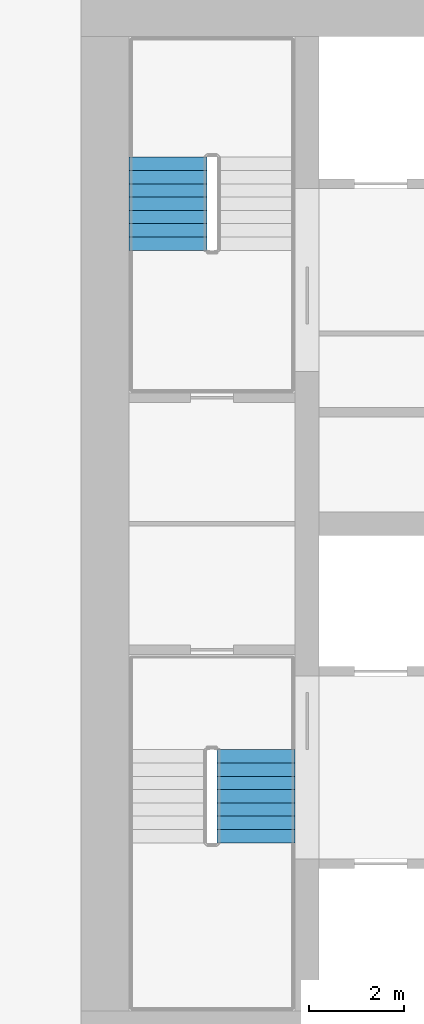
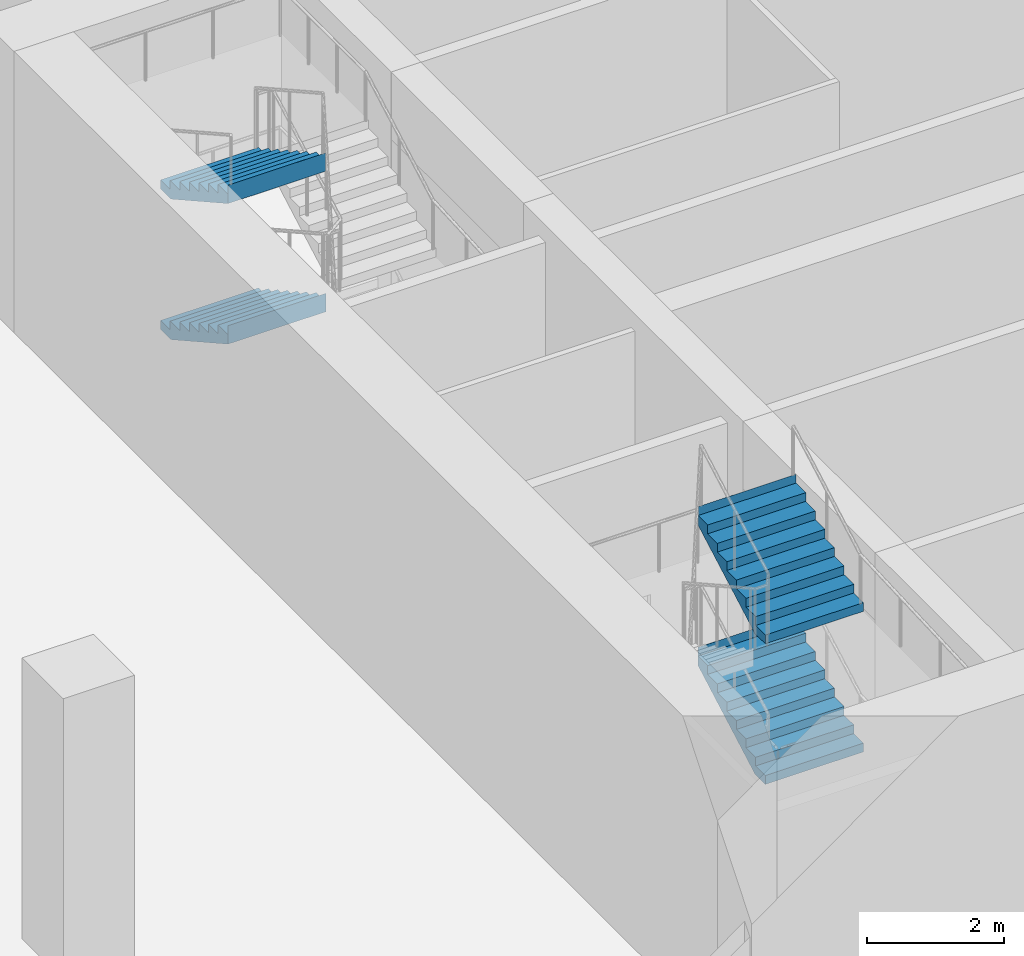
# One storey, part 14 of 32: 4 stair flights, 2 elements without a shape of their own.
"""IFC4 building model written with IfcOpenShell, lengths in metres."""

from ifc_helpers import new_model, si_unit, direction, frame, origin, place, context, subcontext, project, spatial, polyline, outline, extrude, material, type_object, element, aggregate, save


model = new_model("IFC4")

# Units and contexts
model_context = context("Model", 3, precision=1e-05, world=origin(), true_north=direction((0.0, 1.0)))
body_context = subcontext(model_context, "Body", "Model", "MODEL_VIEW")
ifc_project = project(units=[si_unit("LENGTHUNIT", "METRE"), si_unit("AREAUNIT", "SQUARE_METRE"), si_unit("VOLUMEUNIT", "CUBIC_METRE"), si_unit("PLANEANGLEUNIT", "RADIAN"), si_unit("MASSUNIT", "GRAM", prefix="KILO")], contexts=[model_context])

# Site, building, storey
site_placement = place(None, origin())
site = spatial("IfcSite", under=ifc_project, at=site_placement, CompositionType="ELEMENT")
building_placement = place(site_placement, origin())
building = spatial("IfcBuilding", under=site, at=building_placement, Name="Tamorin Gate", CompositionType="ELEMENT")
storey_placement = place(building_placement, frame((0.0, 0.0, 18.5)))
storey = spatial("IfcBuildingStorey", under=building, at=storey_placement, Name="L03", CompositionType="ELEMENT", Elevation=18.5)

# Stair, stair flights
ifc_material = material(Name="Concrete C40/50", Category="concrete")
stair_type = type_object("IfcStairType", Name="Exit stair", PredefinedType="HALF_TURN_STAIR", material=ifc_material)
stair_1_placement = place(storey_placement, origin())
stair_1 = element("IfcStair", 1, at=stair_1_placement, inside=storey, type_object=stair_type, Name="L03 stair ST1", PredefinedType="HALF_TURN_STAIR")
stair_flight_type = type_object("IfcStairFlightType", Name="Exit stair flight", PredefinedType="STRAIGHT", material=ifc_material)
stair_flight_1_placement = place(storey_placement, frame((33.675048828125, 64.5400390625, 1.25), z_axis=(0.0, 0.0, 1.0), x_axis=(0.0, 1.0, 0.0)))
stair_flight_1 = element("IfcStairFlight", 2, at=stair_flight_1_placement, type_object=stair_flight_type, Name="ST1 flight 2", NumberOfRisers=8, NumberOfTreads=7, PredefinedType="STRAIGHT", RiserHeight=0.15625, TreadLength=0.28, context=body_context, shape_type="SweptSolid", body=[
    extrude(outline(polyline([(-0.00048828125, 0.0), (-0.00048828125, 0.00146484375), (-0.00048828125, 0.003173828125), (-0.00048828125, 0.004638671875), (-0.00048828125, 0.006103515625), (-0.00048828125, 0.0078125), (-0.00048828125, 0.00927734375), (-0.00048828125, 0.0107421875), (-0.00048828125, 0.012451171875), (-0.00048828125, 0.013916015625), (-0.00048828125, 0.015380859375), (-0.00048828125, 0.01708984375), (-0.00048828125, 0.0185546875), (-0.00048828125, 0.02001953125), (-0.00048828125, 0.021728515625), (-0.00048828125, 0.023193359375), (-0.00048828125, 0.024658203125), (-0.00048828125, 0.0263671875), (-0.00048828125, 0.02783203125), (-0.00048828125, 0.029296875), (-0.00048828125, 0.031005859375), (-0.00048828125, 0.032470703125), (-0.00048828125, 0.033935546875), (-0.00048828125, 0.03564453125), (-0.00048828125, 0.037109375), (-0.00048828125, 0.03857421875), (-0.00048828125, 0.040283203125), (-0.00048828125, 0.041748046875), (-0.00048828125, 0.043212890625), (-0.00048828125, 0.044921875), (-0.00048828125, 0.04638671875), (-0.00048828125, 0.0478515625), (-0.00048828125, 0.049560546875), (-0.00048828125, 0.051025390625), (-0.00048828125, 0.052490234375), (-0.00048828125, 0.05419921875), (-0.00048828125, 0.0556640625), (-0.00048828125, 0.05712890625), (-0.00048828125, 0.058837890625), (-0.00048828125, 0.060302734375), (-0.00048828125, 0.061767578125), (-0.00048828125, 0.0634765625), (-0.00048828125, 0.06494140625), (-0.00048828125, 0.06640625), (-0.00048828125, 0.068115234375), (-0.00048828125, 0.069580078125), (-0.00048828125, 0.071044921875), (-0.00048828125, 0.07275390625), (-0.00048828125, 0.07421875), (-0.00048828125, 0.07568359375), (-0.00048828125, 0.077392578125), (-0.00048828125, 0.078857421875), (-0.00048828125, 0.08056640625), (-0.00048828125, 0.08203125), (-0.00048828125, 0.08349609375), (-0.00048828125, 0.085205078125), (-0.00048828125, 0.086669921875), (-0.00048828125, 0.088134765625), (-0.00048828125, 0.08984375), (-0.00048828125, 0.09130859375), (-0.00048828125, 0.0927734375), (-0.00048828125, 0.094482421875), (-0.00048828125, 0.095947265625), (-0.00048828125, 0.097412109375), (-0.00048828125, 0.09912109375), (-0.00048828125, 0.1005859375), (-0.00048828125, 0.10205078125), (-0.00048828125, 0.103759765625), (-0.00048828125, 0.105224609375), (-0.00048828125, 0.106689453125), (-0.00048828125, 0.1083984375), (-0.00048828125, 0.10986328125), (-0.00048828125, 0.111328125), (-0.00048828125, 0.113037109375), (-0.00048828125, 0.114501953125), (-0.00048828125, 0.115966796875), (-0.00048828125, 0.11767578125), (-0.00048828125, 0.119140625), (-0.00048828125, 0.12060546875), (-0.00048828125, 0.122314453125), (-0.00048828125, 0.123779296875), (-0.00048828125, 0.125244140625), (-0.00048828125, 0.126953125), (-0.00048828125, 0.12841796875), (-0.00048828125, 0.1298828125), (-0.00048828125, 0.131591796875), (-0.00048828125, 0.133056640625), (-0.00048828125, 0.134521484375), (-0.00048828125, 0.13623046875), (-0.00048828125, 0.1376953125), (-0.00048828125, 0.13916015625), (-0.00048828125, 0.140869140625), (-0.00048828125, 0.142333984375), (-0.00048828125, 0.143798828125), (-0.00048828125, 0.1455078125), (-0.00048828125, 0.14697265625), (-0.00048828125, 0.1484375), (-0.00048828125, 0.150146484375), (-0.00048828125, 0.151611328125), (-0.00048828125, 0.153076171875), (-0.00048828125, 0.15478515625), (-0.00048828125, 0.15625), (0.280029296875, 0.15625), (0.280029296875, 0.3125), (0.56005859375, 0.3125), (0.56005859375, 0.46875), (0.840087890625, 0.46875), (0.840087890625, 0.625), (1.1201171875, 0.625), (1.1201171875, 0.78125), (1.39990234375, 0.78125), (1.39990234375, 0.9375), (1.679931640625, 0.9375), (1.679931640625, 1.09375), (1.9599609375, 1.09375), (1.9599609375, 1.25), (1.96044921875, 1.25), (1.96044921875, 1.246826171875), (1.96044921875, 1.243408203125), (1.96044921875, 1.240234375), (1.96044921875, 1.237060546875), (1.96044921875, 1.23388671875), (1.96044921875, 1.23046875), (1.96044921875, 1.227294921875), (1.96044921875, 1.22412109375), (1.96044921875, 1.220703125), (1.96044921875, 1.217529296875), (1.96044921875, 1.21435546875), (1.96044921875, 1.2109375), (1.96044921875, 1.207763671875), (1.96044921875, 1.20458984375), (1.96044921875, 1.201416015625), (1.96044921875, 1.197998046875), (1.96044921875, 1.19482421875), (1.96044921875, 1.191650390625), (1.96044921875, 1.188232421875), (1.96044921875, 1.18505859375), (1.96044921875, 1.181884765625), (1.96044921875, 1.178466796875), (1.96044921875, 1.17529296875), (1.96044921875, 1.172119140625), (1.96044921875, 1.1689453125), (1.96044921875, 1.16552734375), (1.96044921875, 1.162353515625), (1.96044921875, 1.1591796875), (1.96044921875, 1.15576171875), (1.96044921875, 1.152587890625), (1.96044921875, 1.1494140625), (1.96044921875, 1.14599609375), (1.96044921875, 1.142822265625), (1.96044921875, 1.1396484375), (1.96044921875, 1.136474609375), (1.96044921875, 1.133056640625), (1.96044921875, 1.1298828125), (1.96044921875, 1.126708984375), (1.96044921875, 1.123291015625), (1.96044921875, 1.1201171875), (1.96044921875, 1.116943359375), (1.96044921875, 1.113525390625), (1.96044921875, 1.1103515625), (1.96044921875, 1.107177734375), (1.96044921875, 1.10400390625), (1.96044921875, 1.1005859375), (1.96044921875, 1.097412109375), (1.96044921875, 1.09423828125), (1.96044921875, 1.0908203125), (1.96044921875, 1.087646484375), (1.96044921875, 1.08447265625), (1.96044921875, 1.0810546875), (1.96044921875, 1.077880859375), (1.96044921875, 1.07470703125), (1.96044921875, 1.071533203125), (1.96044921875, 1.068115234375), (1.96044921875, 1.06494140625), (1.96044921875, 1.061767578125), (1.96044921875, 1.058349609375), (1.96044921875, 1.05517578125), (1.96044921875, 1.052001953125), (1.96044921875, 1.048828125), (1.96044921875, 1.04541015625), (1.96044921875, 1.042236328125), (1.96044921875, 1.0390625), (1.96044921875, 1.03564453125), (1.96044921875, 1.032470703125), (1.96044921875, 1.029296875), (1.96044921875, 1.02587890625), (1.96044921875, 1.022705078125), (1.96044921875, 1.01953125), (1.96044921875, 1.016357421875), (1.96044921875, 1.012939453125), (1.96044921875, 1.009765625), (1.96044921875, 1.006591796875), (1.96044921875, 1.003173828125), (1.96044921875, 1.0), (1.96044921875, 0.996826171875), (1.96044921875, 0.993408203125), (1.96044921875, 0.990234375), (1.96044921875, 0.987060546875), (1.96044921875, 0.98388671875), (1.96044921875, 0.98046875), (1.96044921875, 0.977294921875), (1.96044921875, 0.97412109375), (1.96044921875, 0.970703125), (1.96044921875, 0.967529296875), (1.96044921875, 0.96435546875), (1.96044921875, 0.9609375), (1.96044921875, 0.957763671875), (1.96044921875, 0.95458984375), (1.96044921875, 0.951416015625), (1.96044921875, 0.947998046875), (1.96044921875, 0.94482421875), (1.96044921875, 0.941650390625), (1.96044921875, 0.938232421875), (1.96044921875, 0.93505859375), (1.96044921875, 0.931884765625), (1.96044921875, 0.928466796875), (1.96044921875, 0.92529296875), (1.96044921875, 0.922119140625), (1.9599609375, 0.922119140625), (0.3076171875, 0.0), (-0.00048828125, 0.0)])), frame((0.0, 0.824951171875, 0.0), z_axis=(0.0, -1.0, 0.0), x_axis=(1.0, 0.0, 0.0)), (0.0, 0.0, 1.0), 1.64990234375),
])
stair_flight_2_placement = place(storey_placement, frame((33.675048828125, 64.5400390625, 3.75), z_axis=(0.0, 0.0, 1.0), x_axis=(0.0, 1.0, 0.0)))
stair_flight_2 = element("IfcStairFlight", 3, at=stair_flight_2_placement, type_object=stair_flight_type, Name="ST1 flight 4", NumberOfRisers=8, NumberOfTreads=7, PredefinedType="STRAIGHT", RiserHeight=0.15625, TreadLength=0.28, context=body_context, shape_type="SweptSolid", body=[
    extrude(outline(polyline([(-0.00048828125, 0.0), (-0.00048828125, 0.00146484375), (-0.00048828125, 0.003173828125), (-0.00048828125, 0.004638671875), (-0.00048828125, 0.006103515625), (-0.00048828125, 0.0078125), (-0.00048828125, 0.00927734375), (-0.00048828125, 0.0107421875), (-0.00048828125, 0.012451171875), (-0.00048828125, 0.013916015625), (-0.00048828125, 0.015380859375), (-0.00048828125, 0.01708984375), (-0.00048828125, 0.0185546875), (-0.00048828125, 0.02001953125), (-0.00048828125, 0.021728515625), (-0.00048828125, 0.023193359375), (-0.00048828125, 0.024658203125), (-0.00048828125, 0.0263671875), (-0.00048828125, 0.02783203125), (-0.00048828125, 0.029296875), (-0.00048828125, 0.031005859375), (-0.00048828125, 0.032470703125), (-0.00048828125, 0.033935546875), (-0.00048828125, 0.03564453125), (-0.00048828125, 0.037109375), (-0.00048828125, 0.03857421875), (-0.00048828125, 0.040283203125), (-0.00048828125, 0.041748046875), (-0.00048828125, 0.043212890625), (-0.00048828125, 0.044921875), (-0.00048828125, 0.04638671875), (-0.00048828125, 0.0478515625), (-0.00048828125, 0.049560546875), (-0.00048828125, 0.051025390625), (-0.00048828125, 0.052490234375), (-0.00048828125, 0.05419921875), (-0.00048828125, 0.0556640625), (-0.00048828125, 0.05712890625), (-0.00048828125, 0.058837890625), (-0.00048828125, 0.060302734375), (-0.00048828125, 0.061767578125), (-0.00048828125, 0.0634765625), (-0.00048828125, 0.06494140625), (-0.00048828125, 0.06640625), (-0.00048828125, 0.068115234375), (-0.00048828125, 0.069580078125), (-0.00048828125, 0.071044921875), (-0.00048828125, 0.07275390625), (-0.00048828125, 0.07421875), (-0.00048828125, 0.07568359375), (-0.00048828125, 0.077392578125), (-0.00048828125, 0.078857421875), (-0.00048828125, 0.08056640625), (-0.00048828125, 0.08203125), (-0.00048828125, 0.08349609375), (-0.00048828125, 0.085205078125), (-0.00048828125, 0.086669921875), (-0.00048828125, 0.088134765625), (-0.00048828125, 0.08984375), (-0.00048828125, 0.09130859375), (-0.00048828125, 0.0927734375), (-0.00048828125, 0.094482421875), (-0.00048828125, 0.095947265625), (-0.00048828125, 0.097412109375), (-0.00048828125, 0.09912109375), (-0.00048828125, 0.1005859375), (-0.00048828125, 0.10205078125), (-0.00048828125, 0.103759765625), (-0.00048828125, 0.105224609375), (-0.00048828125, 0.106689453125), (-0.00048828125, 0.1083984375), (-0.00048828125, 0.10986328125), (-0.00048828125, 0.111328125), (-0.00048828125, 0.113037109375), (-0.00048828125, 0.114501953125), (-0.00048828125, 0.115966796875), (-0.00048828125, 0.11767578125), (-0.00048828125, 0.119140625), (-0.00048828125, 0.12060546875), (-0.00048828125, 0.122314453125), (-0.00048828125, 0.123779296875), (-0.00048828125, 0.125244140625), (-0.00048828125, 0.126953125), (-0.00048828125, 0.12841796875), (-0.00048828125, 0.1298828125), (-0.00048828125, 0.131591796875), (-0.00048828125, 0.133056640625), (-0.00048828125, 0.134521484375), (-0.00048828125, 0.13623046875), (-0.00048828125, 0.1376953125), (-0.00048828125, 0.13916015625), (-0.00048828125, 0.140869140625), (-0.00048828125, 0.142333984375), (-0.00048828125, 0.143798828125), (-0.00048828125, 0.1455078125), (-0.00048828125, 0.14697265625), (-0.00048828125, 0.1484375), (-0.00048828125, 0.150146484375), (-0.00048828125, 0.151611328125), (-0.00048828125, 0.153076171875), (-0.00048828125, 0.15478515625), (-0.00048828125, 0.15625), (0.280029296875, 0.15625), (0.280029296875, 0.3125), (0.56005859375, 0.3125), (0.56005859375, 0.46875), (0.840087890625, 0.46875), (0.840087890625, 0.625), (1.1201171875, 0.625), (1.1201171875, 0.78125), (1.39990234375, 0.78125), (1.39990234375, 0.9375), (1.679931640625, 0.9375), (1.679931640625, 1.09375), (1.9599609375, 1.09375), (1.9599609375, 1.25), (1.96044921875, 1.25), (1.96044921875, 1.246826171875), (1.96044921875, 1.243408203125), (1.96044921875, 1.240234375), (1.96044921875, 1.237060546875), (1.96044921875, 1.23388671875), (1.96044921875, 1.23046875), (1.96044921875, 1.227294921875), (1.96044921875, 1.22412109375), (1.96044921875, 1.220703125), (1.96044921875, 1.217529296875), (1.96044921875, 1.21435546875), (1.96044921875, 1.2109375), (1.96044921875, 1.207763671875), (1.96044921875, 1.20458984375), (1.96044921875, 1.201416015625), (1.96044921875, 1.197998046875), (1.96044921875, 1.19482421875), (1.96044921875, 1.191650390625), (1.96044921875, 1.188232421875), (1.96044921875, 1.18505859375), (1.96044921875, 1.181884765625), (1.96044921875, 1.178466796875), (1.96044921875, 1.17529296875), (1.96044921875, 1.172119140625), (1.96044921875, 1.1689453125), (1.96044921875, 1.16552734375), (1.96044921875, 1.162353515625), (1.96044921875, 1.1591796875), (1.96044921875, 1.15576171875), (1.96044921875, 1.152587890625), (1.96044921875, 1.1494140625), (1.96044921875, 1.14599609375), (1.96044921875, 1.142822265625), (1.96044921875, 1.1396484375), (1.96044921875, 1.136474609375), (1.96044921875, 1.133056640625), (1.96044921875, 1.1298828125), (1.96044921875, 1.126708984375), (1.96044921875, 1.123291015625), (1.96044921875, 1.1201171875), (1.96044921875, 1.116943359375), (1.96044921875, 1.113525390625), (1.96044921875, 1.1103515625), (1.96044921875, 1.107177734375), (1.96044921875, 1.10400390625), (1.96044921875, 1.1005859375), (1.96044921875, 1.097412109375), (1.96044921875, 1.09423828125), (1.96044921875, 1.0908203125), (1.96044921875, 1.087646484375), (1.96044921875, 1.08447265625), (1.96044921875, 1.0810546875), (1.96044921875, 1.077880859375), (1.96044921875, 1.07470703125), (1.96044921875, 1.071533203125), (1.96044921875, 1.068115234375), (1.96044921875, 1.06494140625), (1.96044921875, 1.061767578125), (1.96044921875, 1.058349609375), (1.96044921875, 1.05517578125), (1.96044921875, 1.052001953125), (1.96044921875, 1.048828125), (1.96044921875, 1.04541015625), (1.96044921875, 1.042236328125), (1.96044921875, 1.0390625), (1.96044921875, 1.03564453125), (1.96044921875, 1.032470703125), (1.96044921875, 1.029296875), (1.96044921875, 1.02587890625), (1.96044921875, 1.022705078125), (1.96044921875, 1.01953125), (1.96044921875, 1.016357421875), (1.96044921875, 1.012939453125), (1.96044921875, 1.009765625), (1.96044921875, 1.006591796875), (1.96044921875, 1.003173828125), (1.96044921875, 1.0), (1.96044921875, 0.996826171875), (1.96044921875, 0.993408203125), (1.96044921875, 0.990234375), (1.96044921875, 0.987060546875), (1.96044921875, 0.98388671875), (1.96044921875, 0.98046875), (1.96044921875, 0.977294921875), (1.96044921875, 0.97412109375), (1.96044921875, 0.970703125), (1.96044921875, 0.967529296875), (1.96044921875, 0.96435546875), (1.96044921875, 0.9609375), (1.96044921875, 0.957763671875), (1.96044921875, 0.95458984375), (1.96044921875, 0.951416015625), (1.96044921875, 0.947998046875), (1.96044921875, 0.94482421875), (1.96044921875, 0.941650390625), (1.96044921875, 0.938232421875), (1.96044921875, 0.93505859375), (1.96044921875, 0.931884765625), (1.96044921875, 0.928466796875), (1.96044921875, 0.92529296875), (1.96044921875, 0.922119140625), (1.9599609375, 0.922119140625), (0.3076171875, 0.0), (-0.00048828125, 0.0)])), frame((0.0, 0.824951171875, 0.0), z_axis=(0.0, -1.0, 0.0), x_axis=(1.0, 0.0, 0.0)), (0.0, 0.0, 1.0), 1.64990234375),
])
aggregate(stair_1, [stair_flight_1, stair_flight_2])

stair_2_placement = place(storey_placement, origin())
stair_2 = element("IfcStair", 4, at=stair_2_placement, inside=storey, type_object=stair_type, Name="L03 stair ST2", PredefinedType="HALF_TURN_STAIR")
stair_flight_3_placement = place(storey_placement, frame((31.824951171875, 78.9599609375, 1.25), z_axis=(0.0, 0.0, 1.0), x_axis=(0.0, -1.0, 0.0)))
stair_flight_3 = element("IfcStairFlight", 5, at=stair_flight_3_placement, type_object=stair_flight_type, Name="ST2 flight 2", NumberOfRisers=8, NumberOfTreads=7, PredefinedType="STRAIGHT", RiserHeight=0.15625, TreadLength=0.28, context=body_context, shape_type="SweptSolid", body=[
    extrude(outline(polyline([(-0.00048828125, 0.0), (-0.00048828125, 0.00146484375), (-0.00048828125, 0.003173828125), (-0.00048828125, 0.004638671875), (-0.00048828125, 0.006103515625), (-0.00048828125, 0.0078125), (-0.00048828125, 0.00927734375), (-0.00048828125, 0.0107421875), (-0.00048828125, 0.012451171875), (-0.00048828125, 0.013916015625), (-0.00048828125, 0.015380859375), (-0.00048828125, 0.01708984375), (-0.00048828125, 0.0185546875), (-0.00048828125, 0.02001953125), (-0.00048828125, 0.021728515625), (-0.00048828125, 0.023193359375), (-0.00048828125, 0.024658203125), (-0.00048828125, 0.0263671875), (-0.00048828125, 0.02783203125), (-0.00048828125, 0.029296875), (-0.00048828125, 0.031005859375), (-0.00048828125, 0.032470703125), (-0.00048828125, 0.033935546875), (-0.00048828125, 0.03564453125), (-0.00048828125, 0.037109375), (-0.00048828125, 0.03857421875), (-0.00048828125, 0.040283203125), (-0.00048828125, 0.041748046875), (-0.00048828125, 0.043212890625), (-0.00048828125, 0.044921875), (-0.00048828125, 0.04638671875), (-0.00048828125, 0.0478515625), (-0.00048828125, 0.049560546875), (-0.00048828125, 0.051025390625), (-0.00048828125, 0.052490234375), (-0.00048828125, 0.05419921875), (-0.00048828125, 0.0556640625), (-0.00048828125, 0.05712890625), (-0.00048828125, 0.058837890625), (-0.00048828125, 0.060302734375), (-0.00048828125, 0.061767578125), (-0.00048828125, 0.0634765625), (-0.00048828125, 0.06494140625), (-0.00048828125, 0.06640625), (-0.00048828125, 0.068115234375), (-0.00048828125, 0.069580078125), (-0.00048828125, 0.071044921875), (-0.00048828125, 0.07275390625), (-0.00048828125, 0.07421875), (-0.00048828125, 0.07568359375), (-0.00048828125, 0.077392578125), (-0.00048828125, 0.078857421875), (-0.00048828125, 0.08056640625), (-0.00048828125, 0.08203125), (-0.00048828125, 0.08349609375), (-0.00048828125, 0.085205078125), (-0.00048828125, 0.086669921875), (-0.00048828125, 0.088134765625), (-0.00048828125, 0.08984375), (-0.00048828125, 0.09130859375), (-0.00048828125, 0.0927734375), (-0.00048828125, 0.094482421875), (-0.00048828125, 0.095947265625), (-0.00048828125, 0.097412109375), (-0.00048828125, 0.09912109375), (-0.00048828125, 0.1005859375), (-0.00048828125, 0.10205078125), (-0.00048828125, 0.103759765625), (-0.00048828125, 0.105224609375), (-0.00048828125, 0.106689453125), (-0.00048828125, 0.1083984375), (-0.00048828125, 0.10986328125), (-0.00048828125, 0.111328125), (-0.00048828125, 0.113037109375), (-0.00048828125, 0.114501953125), (-0.00048828125, 0.115966796875), (-0.00048828125, 0.11767578125), (-0.00048828125, 0.119140625), (-0.00048828125, 0.12060546875), (-0.00048828125, 0.122314453125), (-0.00048828125, 0.123779296875), (-0.00048828125, 0.125244140625), (-0.00048828125, 0.126953125), (-0.00048828125, 0.12841796875), (-0.00048828125, 0.1298828125), (-0.00048828125, 0.131591796875), (-0.00048828125, 0.133056640625), (-0.00048828125, 0.134521484375), (-0.00048828125, 0.13623046875), (-0.00048828125, 0.1376953125), (-0.00048828125, 0.13916015625), (-0.00048828125, 0.140869140625), (-0.00048828125, 0.142333984375), (-0.00048828125, 0.143798828125), (-0.00048828125, 0.1455078125), (-0.00048828125, 0.14697265625), (-0.00048828125, 0.1484375), (-0.00048828125, 0.150146484375), (-0.00048828125, 0.151611328125), (-0.00048828125, 0.153076171875), (-0.00048828125, 0.15478515625), (-0.00048828125, 0.15625), (0.280029296875, 0.15625), (0.280029296875, 0.3125), (0.56005859375, 0.3125), (0.56005859375, 0.46875), (0.840087890625, 0.46875), (0.840087890625, 0.625), (1.1201171875, 0.625), (1.1201171875, 0.78125), (1.39990234375, 0.78125), (1.39990234375, 0.9375), (1.679931640625, 0.9375), (1.679931640625, 1.09375), (1.9599609375, 1.09375), (1.9599609375, 1.25), (1.96044921875, 1.25), (1.96044921875, 1.246826171875), (1.96044921875, 1.243408203125), (1.96044921875, 1.240234375), (1.96044921875, 1.237060546875), (1.96044921875, 1.23388671875), (1.96044921875, 1.23046875), (1.96044921875, 1.227294921875), (1.96044921875, 1.22412109375), (1.96044921875, 1.220703125), (1.96044921875, 1.217529296875), (1.96044921875, 1.21435546875), (1.96044921875, 1.2109375), (1.96044921875, 1.207763671875), (1.96044921875, 1.20458984375), (1.96044921875, 1.201416015625), (1.96044921875, 1.197998046875), (1.96044921875, 1.19482421875), (1.96044921875, 1.191650390625), (1.96044921875, 1.188232421875), (1.96044921875, 1.18505859375), (1.96044921875, 1.181884765625), (1.96044921875, 1.178466796875), (1.96044921875, 1.17529296875), (1.96044921875, 1.172119140625), (1.96044921875, 1.1689453125), (1.96044921875, 1.16552734375), (1.96044921875, 1.162353515625), (1.96044921875, 1.1591796875), (1.96044921875, 1.15576171875), (1.96044921875, 1.152587890625), (1.96044921875, 1.1494140625), (1.96044921875, 1.14599609375), (1.96044921875, 1.142822265625), (1.96044921875, 1.1396484375), (1.96044921875, 1.136474609375), (1.96044921875, 1.133056640625), (1.96044921875, 1.1298828125), (1.96044921875, 1.126708984375), (1.96044921875, 1.123291015625), (1.96044921875, 1.1201171875), (1.96044921875, 1.116943359375), (1.96044921875, 1.113525390625), (1.96044921875, 1.1103515625), (1.96044921875, 1.107177734375), (1.96044921875, 1.10400390625), (1.96044921875, 1.1005859375), (1.96044921875, 1.097412109375), (1.96044921875, 1.09423828125), (1.96044921875, 1.0908203125), (1.96044921875, 1.087646484375), (1.96044921875, 1.08447265625), (1.96044921875, 1.0810546875), (1.96044921875, 1.077880859375), (1.96044921875, 1.07470703125), (1.96044921875, 1.071533203125), (1.96044921875, 1.068115234375), (1.96044921875, 1.06494140625), (1.96044921875, 1.061767578125), (1.96044921875, 1.058349609375), (1.96044921875, 1.05517578125), (1.96044921875, 1.052001953125), (1.96044921875, 1.048828125), (1.96044921875, 1.04541015625), (1.96044921875, 1.042236328125), (1.96044921875, 1.0390625), (1.96044921875, 1.03564453125), (1.96044921875, 1.032470703125), (1.96044921875, 1.029296875), (1.96044921875, 1.02587890625), (1.96044921875, 1.022705078125), (1.96044921875, 1.01953125), (1.96044921875, 1.016357421875), (1.96044921875, 1.012939453125), (1.96044921875, 1.009765625), (1.96044921875, 1.006591796875), (1.96044921875, 1.003173828125), (1.96044921875, 1.0), (1.96044921875, 0.996826171875), (1.96044921875, 0.993408203125), (1.96044921875, 0.990234375), (1.96044921875, 0.987060546875), (1.96044921875, 0.98388671875), (1.96044921875, 0.98046875), (1.96044921875, 0.977294921875), (1.96044921875, 0.97412109375), (1.96044921875, 0.970703125), (1.96044921875, 0.967529296875), (1.96044921875, 0.96435546875), (1.96044921875, 0.9609375), (1.96044921875, 0.957763671875), (1.96044921875, 0.95458984375), (1.96044921875, 0.951416015625), (1.96044921875, 0.947998046875), (1.96044921875, 0.94482421875), (1.96044921875, 0.941650390625), (1.96044921875, 0.938232421875), (1.96044921875, 0.93505859375), (1.96044921875, 0.931884765625), (1.96044921875, 0.928466796875), (1.96044921875, 0.92529296875), (1.96044921875, 0.922119140625), (1.9599609375, 0.922119140625), (0.3076171875, 0.0), (-0.00048828125, 0.0)])), frame((0.0, 0.824951171875, 0.0), z_axis=(0.0, -1.0, 0.0), x_axis=(1.0, 0.0, 0.0)), (0.0, 0.0, 1.0), 1.64990234375),
])
stair_flight_4_placement = place(storey_placement, frame((31.824951171875, 78.9599609375, 3.75), z_axis=(0.0, 0.0, 1.0), x_axis=(0.0, -1.0, 0.0)))
stair_flight_4 = element("IfcStairFlight", 6, at=stair_flight_4_placement, type_object=stair_flight_type, Name="ST2 flight 4", NumberOfRisers=8, NumberOfTreads=7, PredefinedType="STRAIGHT", RiserHeight=0.15625, TreadLength=0.28, context=body_context, shape_type="SweptSolid", body=[
    extrude(outline(polyline([(-0.00048828125, 0.0), (-0.00048828125, 0.00146484375), (-0.00048828125, 0.003173828125), (-0.00048828125, 0.004638671875), (-0.00048828125, 0.006103515625), (-0.00048828125, 0.0078125), (-0.00048828125, 0.00927734375), (-0.00048828125, 0.0107421875), (-0.00048828125, 0.012451171875), (-0.00048828125, 0.013916015625), (-0.00048828125, 0.015380859375), (-0.00048828125, 0.01708984375), (-0.00048828125, 0.0185546875), (-0.00048828125, 0.02001953125), (-0.00048828125, 0.021728515625), (-0.00048828125, 0.023193359375), (-0.00048828125, 0.024658203125), (-0.00048828125, 0.0263671875), (-0.00048828125, 0.02783203125), (-0.00048828125, 0.029296875), (-0.00048828125, 0.031005859375), (-0.00048828125, 0.032470703125), (-0.00048828125, 0.033935546875), (-0.00048828125, 0.03564453125), (-0.00048828125, 0.037109375), (-0.00048828125, 0.03857421875), (-0.00048828125, 0.040283203125), (-0.00048828125, 0.041748046875), (-0.00048828125, 0.043212890625), (-0.00048828125, 0.044921875), (-0.00048828125, 0.04638671875), (-0.00048828125, 0.0478515625), (-0.00048828125, 0.049560546875), (-0.00048828125, 0.051025390625), (-0.00048828125, 0.052490234375), (-0.00048828125, 0.05419921875), (-0.00048828125, 0.0556640625), (-0.00048828125, 0.05712890625), (-0.00048828125, 0.058837890625), (-0.00048828125, 0.060302734375), (-0.00048828125, 0.061767578125), (-0.00048828125, 0.0634765625), (-0.00048828125, 0.06494140625), (-0.00048828125, 0.06640625), (-0.00048828125, 0.068115234375), (-0.00048828125, 0.069580078125), (-0.00048828125, 0.071044921875), (-0.00048828125, 0.07275390625), (-0.00048828125, 0.07421875), (-0.00048828125, 0.07568359375), (-0.00048828125, 0.077392578125), (-0.00048828125, 0.078857421875), (-0.00048828125, 0.08056640625), (-0.00048828125, 0.08203125), (-0.00048828125, 0.08349609375), (-0.00048828125, 0.085205078125), (-0.00048828125, 0.086669921875), (-0.00048828125, 0.088134765625), (-0.00048828125, 0.08984375), (-0.00048828125, 0.09130859375), (-0.00048828125, 0.0927734375), (-0.00048828125, 0.094482421875), (-0.00048828125, 0.095947265625), (-0.00048828125, 0.097412109375), (-0.00048828125, 0.09912109375), (-0.00048828125, 0.1005859375), (-0.00048828125, 0.10205078125), (-0.00048828125, 0.103759765625), (-0.00048828125, 0.105224609375), (-0.00048828125, 0.106689453125), (-0.00048828125, 0.1083984375), (-0.00048828125, 0.10986328125), (-0.00048828125, 0.111328125), (-0.00048828125, 0.113037109375), (-0.00048828125, 0.114501953125), (-0.00048828125, 0.115966796875), (-0.00048828125, 0.11767578125), (-0.00048828125, 0.119140625), (-0.00048828125, 0.12060546875), (-0.00048828125, 0.122314453125), (-0.00048828125, 0.123779296875), (-0.00048828125, 0.125244140625), (-0.00048828125, 0.126953125), (-0.00048828125, 0.12841796875), (-0.00048828125, 0.1298828125), (-0.00048828125, 0.131591796875), (-0.00048828125, 0.133056640625), (-0.00048828125, 0.134521484375), (-0.00048828125, 0.13623046875), (-0.00048828125, 0.1376953125), (-0.00048828125, 0.13916015625), (-0.00048828125, 0.140869140625), (-0.00048828125, 0.142333984375), (-0.00048828125, 0.143798828125), (-0.00048828125, 0.1455078125), (-0.00048828125, 0.14697265625), (-0.00048828125, 0.1484375), (-0.00048828125, 0.150146484375), (-0.00048828125, 0.151611328125), (-0.00048828125, 0.153076171875), (-0.00048828125, 0.15478515625), (-0.00048828125, 0.15625), (0.280029296875, 0.15625), (0.280029296875, 0.3125), (0.56005859375, 0.3125), (0.56005859375, 0.46875), (0.840087890625, 0.46875), (0.840087890625, 0.625), (1.1201171875, 0.625), (1.1201171875, 0.78125), (1.39990234375, 0.78125), (1.39990234375, 0.9375), (1.679931640625, 0.9375), (1.679931640625, 1.09375), (1.9599609375, 1.09375), (1.9599609375, 1.25), (1.96044921875, 1.25), (1.96044921875, 1.246826171875), (1.96044921875, 1.243408203125), (1.96044921875, 1.240234375), (1.96044921875, 1.237060546875), (1.96044921875, 1.23388671875), (1.96044921875, 1.23046875), (1.96044921875, 1.227294921875), (1.96044921875, 1.22412109375), (1.96044921875, 1.220703125), (1.96044921875, 1.217529296875), (1.96044921875, 1.21435546875), (1.96044921875, 1.2109375), (1.96044921875, 1.207763671875), (1.96044921875, 1.20458984375), (1.96044921875, 1.201416015625), (1.96044921875, 1.197998046875), (1.96044921875, 1.19482421875), (1.96044921875, 1.191650390625), (1.96044921875, 1.188232421875), (1.96044921875, 1.18505859375), (1.96044921875, 1.181884765625), (1.96044921875, 1.178466796875), (1.96044921875, 1.17529296875), (1.96044921875, 1.172119140625), (1.96044921875, 1.1689453125), (1.96044921875, 1.16552734375), (1.96044921875, 1.162353515625), (1.96044921875, 1.1591796875), (1.96044921875, 1.15576171875), (1.96044921875, 1.152587890625), (1.96044921875, 1.1494140625), (1.96044921875, 1.14599609375), (1.96044921875, 1.142822265625), (1.96044921875, 1.1396484375), (1.96044921875, 1.136474609375), (1.96044921875, 1.133056640625), (1.96044921875, 1.1298828125), (1.96044921875, 1.126708984375), (1.96044921875, 1.123291015625), (1.96044921875, 1.1201171875), (1.96044921875, 1.116943359375), (1.96044921875, 1.113525390625), (1.96044921875, 1.1103515625), (1.96044921875, 1.107177734375), (1.96044921875, 1.10400390625), (1.96044921875, 1.1005859375), (1.96044921875, 1.097412109375), (1.96044921875, 1.09423828125), (1.96044921875, 1.0908203125), (1.96044921875, 1.087646484375), (1.96044921875, 1.08447265625), (1.96044921875, 1.0810546875), (1.96044921875, 1.077880859375), (1.96044921875, 1.07470703125), (1.96044921875, 1.071533203125), (1.96044921875, 1.068115234375), (1.96044921875, 1.06494140625), (1.96044921875, 1.061767578125), (1.96044921875, 1.058349609375), (1.96044921875, 1.05517578125), (1.96044921875, 1.052001953125), (1.96044921875, 1.048828125), (1.96044921875, 1.04541015625), (1.96044921875, 1.042236328125), (1.96044921875, 1.0390625), (1.96044921875, 1.03564453125), (1.96044921875, 1.032470703125), (1.96044921875, 1.029296875), (1.96044921875, 1.02587890625), (1.96044921875, 1.022705078125), (1.96044921875, 1.01953125), (1.96044921875, 1.016357421875), (1.96044921875, 1.012939453125), (1.96044921875, 1.009765625), (1.96044921875, 1.006591796875), (1.96044921875, 1.003173828125), (1.96044921875, 1.0), (1.96044921875, 0.996826171875), (1.96044921875, 0.993408203125), (1.96044921875, 0.990234375), (1.96044921875, 0.987060546875), (1.96044921875, 0.98388671875), (1.96044921875, 0.98046875), (1.96044921875, 0.977294921875), (1.96044921875, 0.97412109375), (1.96044921875, 0.970703125), (1.96044921875, 0.967529296875), (1.96044921875, 0.96435546875), (1.96044921875, 0.9609375), (1.96044921875, 0.957763671875), (1.96044921875, 0.95458984375), (1.96044921875, 0.951416015625), (1.96044921875, 0.947998046875), (1.96044921875, 0.94482421875), (1.96044921875, 0.941650390625), (1.96044921875, 0.938232421875), (1.96044921875, 0.93505859375), (1.96044921875, 0.931884765625), (1.96044921875, 0.928466796875), (1.96044921875, 0.92529296875), (1.96044921875, 0.922119140625), (1.9599609375, 0.922119140625), (0.3076171875, 0.0), (-0.00048828125, 0.0)])), frame((0.0, 0.824951171875, 0.0), z_axis=(0.0, -1.0, 0.0), x_axis=(1.0, 0.0, 0.0)), (0.0, 0.0, 1.0), 1.64990234375),
])
aggregate(stair_2, [stair_flight_3, stair_flight_4])

save(model, "model.ifc")
